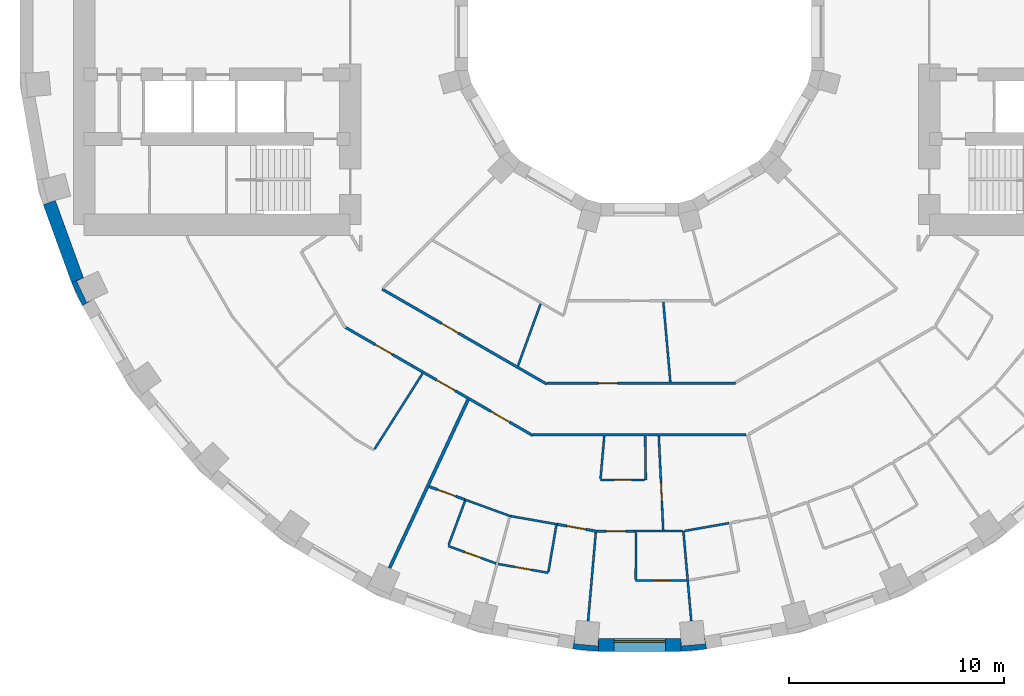
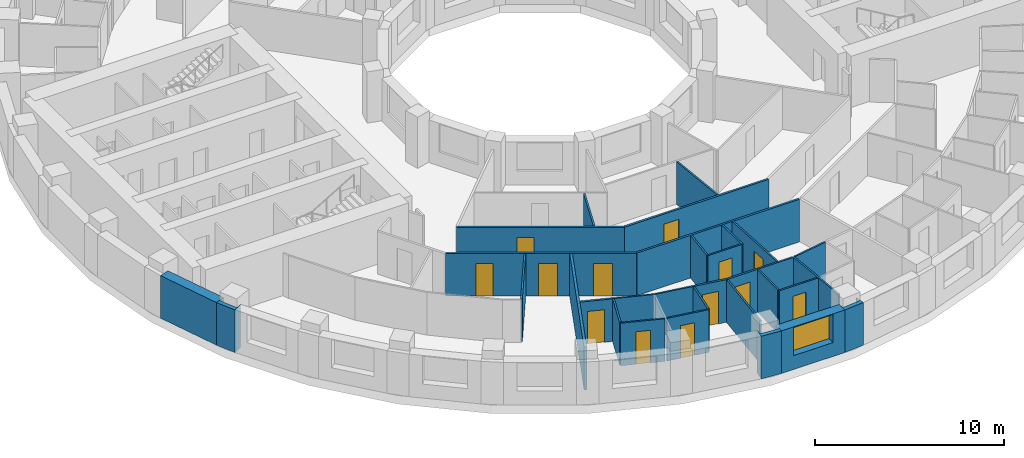
# One storey, part 4 of 15: 32 walls, 13 doors, 1 window, 14 openings.
"""IFC4 building model written with IfcOpenShell, lengths in metres."""

from ifc_helpers import new_model, si_unit, direction, frame, frame_2d, origin, place, context, subcontext, project, spatial, polyline, rectangle, outline, extrude, material, layer, layer_set, type_object, element, fill, save


model = new_model("IFC4")

# Units and contexts
model_context = context("Model", 3, precision=1e-05, world=origin(), true_north=direction((0.0, 1.0)))
body_context = subcontext(model_context, "Body", "Model", "MODEL_VIEW")
ifc_project = project(units=[si_unit("LENGTHUNIT", "METRE"), si_unit("AREAUNIT", "SQUARE_METRE"), si_unit("VOLUMEUNIT", "CUBIC_METRE"), si_unit("PLANEANGLEUNIT", "RADIAN"), si_unit("MASSUNIT", "GRAM", prefix="KILO")], contexts=[model_context])

# Site, building, storey
site_placement = place(None, origin())
site = spatial("IfcSite", under=ifc_project, at=site_placement, CompositionType="ELEMENT")
building_placement = place(site_placement, origin())
building = spatial("IfcBuilding", under=site, at=building_placement, Name="Saqina Gate Tower", CompositionType="ELEMENT")
storey_placement = place(building_placement, frame((0.0, 0.0, 69.199951171875)))
storey = spatial("IfcBuildingStorey", under=building, at=storey_placement, Name="L19", CompositionType="ELEMENT", Elevation=69.199951171875)

# Walls
ifc_material_1 = material(Name="Brick masonry (red)", Category="masonry")
wall_type_1 = type_object("IfcWallType", Name="BRICK PIER COPING RED", PredefinedType="SOLIDWALL", material=ifc_material_1)
wall_1_placement = place(storey_placement, origin())
element("IfcWall", 1, at=wall_1_placement, inside=storey, type_object=wall_type_1, Name="Pier cap L19 column 21", PredefinedType="SOLIDWALL", context=body_context, shape_type="SweptSolid", body=[
    extrude(outline(polyline([(-25.980712890625, -12.779541015625), (-25.4609375, -12.4794921875), (-25.778564453125, -12.627685546875), (-26.243408203125, -11.630615234375), (-25.92578125, -11.482666015625), (-26.48974609375, -11.687744140625), (-25.980712890625, -12.779541015625)])), origin(), (0.0, 0.0, 1.0), 2.75),
])
wall_2_placement = place(storey_placement, origin())
element("IfcWall", 2, at=wall_2_placement, inside=storey, type_object=wall_type_1, Name="Pier cap L19 column 27", PredefinedType="SOLIDWALL", context=body_context, shape_type="SweptSolid", body=[
    extrude(outline(polyline([(-3.122802734375, -28.78466796875), (-1.9228515625, -28.8896484375), (-1.9228515625, -28.28955078125), (-1.95361328125, -28.638671875), (-3.04931640625, -28.54296875), (-3.018798828125, -28.19384765625), (-3.122802734375, -28.78466796875)])), origin(), (0.0, 0.0, 1.0), 2.75),
])
wall_3_placement = place(storey_placement, origin())
element("IfcWall", 3, at=wall_3_placement, inside=storey, type_object=wall_type_1, Name="Pier cap L19 column 28", PredefinedType="SOLIDWALL", context=body_context, shape_type="SweptSolid", body=[
    extrude(outline(polyline([(1.9228515625, -28.8896484375), (3.122802734375, -28.78466796875), (3.018798828125, -28.19384765625), (3.04931640625, -28.54296875), (1.95361328125, -28.638671875), (1.9228515625, -28.28955078125), (1.9228515625, -28.8896484375)])), origin(), (0.0, 0.0, 1.0), 2.75),
])

# Wall, opening, window
ifc_material_2 = material(Name="Brick masonry (red)", Category="masonry")
ifc_layer_1 = layer(ifc_material_2, 0.60009765625)
ifc_layer_set_1 = layer_set([ifc_layer_1], Name="FW-BRICK-RED")
wall_type_2 = type_object("IfcWallType", Name="FW-BRICK-RED", PredefinedType="SOLIDWALL", material=ifc_layer_set_1)
wall_4_placement = place(storey_placement, frame((-1.9228515625, -28.589599609375, 0.0), z_axis=(0.0, 0.0, 1.0), x_axis=(1.0, 0.0, 0.0)))
wall_4 = element("IfcWall", 4, at=wall_4_placement, inside=storey, type_object=wall_type_2, Name="Facade wall L19 facet 27", PredefinedType="SOLIDWALL", context=body_context, shape_type="SweptSolid", body=[
    extrude(rectangle(XDim=3.845703125, YDim=0.60009765625, at=frame_2d((1.9228515625, 0.0))), origin(), (0.0, 0.0, 1.0), 2.75),
])
opening_1_placement = place(wall_4_placement, frame((0.722900390625, 0.0, 0.89990234375)))
opening_1 = element("IfcOpeningElement", 5, at=opening_1_placement, cuts=wall_4, Name="Opening G05-W16", PredefinedType="OPENING", context=body_context, shape_type="SweptSolid", body=[
    extrude(rectangle(XDim=2.39990234375, YDim=1.800048828125, at=frame_2d((1.199951171875, 0.89990234375))), frame((0.0, 0.31201171875, 0.0), z_axis=(0.0, -1.0, 0.0), x_axis=(1.0, 0.0, 0.0)), (0.0, 0.0, 1.0), 0.6240234375),
])
ifc_material_3 = material(Name="Aluminium glazing", Category="aluminium")
window_type = type_object("IfcWindowType", Name="WN-A", PartitioningType="SINGLE_PANEL", PredefinedType="WINDOW", material=ifc_material_3)
window_placement = place(opening_1_placement, origin())
window = element("IfcWindow", 6, at=window_placement, inside=storey, type_object=window_type, Name="Window L19 facet 27", OverallHeight=1.800048828125, OverallWidth=2.39990234375, PartitioningType="SINGLE_PANEL", PredefinedType="WINDOW", context=body_context, shape_type="SweptSolid", body=[
    extrude(rectangle(XDim=2.39990234375, YDim=1.800048828125, at=frame_2d((1.199951171875, 0.89990234375))), frame((0.0, 0.179931640625, 0.0), z_axis=(0.0, -1.0, 0.0), x_axis=(1.0, 0.0, 0.0)), (0.0, 0.0, 1.0), 0.06005859375),
])
fill(opening_1, window)

# Walls
ifc_material_4 = material(Name="Glazed ceramic tile", Category="ceramic")
ifc_layer_2 = layer(ifc_material_4, 0.60009765625)
ifc_layer_set_2 = layer_set([ifc_layer_2], Name="FW-TILE")
wall_type_3 = type_object("IfcWallType", Name="FW-TILE", PredefinedType="SOLIDWALL", material=ifc_layer_set_2)
wall_5_placement = place(storey_placement, frame((-27.523193359375, -7.97119140625, 0.0), z_axis=(0.0, 0.0, 1.0), x_axis=(0.342028474173, -0.939689588564, 0.0)))
element("IfcWall", 7, at=wall_5_placement, inside=storey, type_object=wall_type_3, Name="Facade wall L19 facet 20", PredefinedType="SOLIDWALL", context=body_context, shape_type="SweptSolid", body=[
    extrude(rectangle(XDim=3.845947265625, YDim=0.60009765625, at=frame_2d((1.9228515625, 0.0))), origin(), (0.0, 0.0, 1.0), 2.75),
])
ifc_material_5 = material(Name="Gypsum board on steel studs, 100 mm", Category="steel")
ifc_layer_3 = layer(ifc_material_5, 0.10009765625)
ifc_layer_set_3 = layer_set([ifc_layer_3], Name="PARTITION 100")
wall_type_4 = type_object("IfcWallType", Name="PARTITION 100", PredefinedType="PARTITIONING", material=ifc_layer_set_3)
wall_6_placement = place(storey_placement, frame((0.255859375, -18.862548828125, 0.0), z_axis=(0.0, 0.0, 1.0), x_axis=(0.013779398664, -0.999905059579, 0.0)))
element("IfcWall", 8, at=wall_6_placement, inside=storey, type_object=wall_type_4, Name="PARTITION PW3-01", PredefinedType="PARTITIONING", context=body_context, shape_type="SweptSolid", body=[
    extrude(rectangle(XDim=2.03759765625, YDim=0.10009765625, at=frame_2d((1.018798828125, 0.0))), origin(), (0.0, 0.0, 1.0), 2.75),
])

# Wall, opening, door
wall_7_placement = place(storey_placement, frame((0.890869140625, -18.862548828125, 0.0), z_axis=(0.0, 0.0, 1.0), x_axis=(0.047186643512, -0.998886089939, 0.0)))
wall_7 = element("IfcWall", 9, at=wall_7_placement, inside=storey, type_object=wall_type_4, Name="PARTITION PW3-02", PredefinedType="PARTITIONING", context=body_context, shape_type="SweptSolid", body=[
    extrude(rectangle(XDim=4.38232421875, YDim=0.10009765625, at=frame_2d((2.191162109375, 0.0))), origin(), (0.0, 0.0, 1.0), 2.75),
])
opening_2_placement = place(wall_7_placement, frame((2.135009765625, 0.0, 0.0)))
opening_2 = element("IfcOpeningElement", 10, at=opening_2_placement, cuts=wall_7, Name="Opening G05-D51", PredefinedType="OPENING", context=body_context, shape_type="SweptSolid", body=[
    extrude(rectangle(XDim=0.89990234375, YDim=2.10009765625, at=frame_2d((0.449951171875, 1.050048828125))), frame((0.0, 0.06201171875, 0.0), z_axis=(0.0, -1.0, 0.0), x_axis=(1.0, 0.0, 0.0)), (0.0, 0.0, 1.0), 0.1240234375),
])
ifc_material_6 = material(Name="Timber door leaf, 900 mm", Category="wood")
door_type_1 = type_object("IfcDoorType", Name="DOOR 900 TIMBER", OperationType="SINGLE_SWING_LEFT", PredefinedType="DOOR", material=ifc_material_6)
door_1_placement = place(opening_2_placement, frame((0.89990234375, 0.0, 0.0), z_axis=(0.0, 0.0, 1.0), x_axis=(-1.0, 0.0, 0.0)))
door_1 = element("IfcDoor", 11, at=door_1_placement, inside=storey, type_object=door_type_1, Name="DOOR G05-D51", OperationType="SINGLE_SWING_RIGHT", OverallHeight=2.10009765625, OverallWidth=0.89990234375, PredefinedType="DOOR", context=body_context, shape_type="SweptSolid", body=[
    extrude(rectangle(XDim=0.89990234375, YDim=2.10009765625, at=frame_2d((0.449951171875, 1.050048828125))), frame((0.0, 0.02490234375, 0.0), z_axis=(0.0, -1.0, 0.0), x_axis=(1.0, 0.0, 0.0)), (0.0, 0.0, 1.0), 0.050048828125),
])
fill(opening_2, door_1)

# Walls
wall_8_placement = place(storey_placement, frame((1.102294921875, -12.599853515625, 0.0), z_axis=(0.0, 0.0, 1.0), x_axis=(0.087191165371, -0.996191598379, 0.0)))
element("IfcWall", 12, at=wall_8_placement, inside=storey, type_object=wall_type_4, Name="PARTITION PW3-05", PredefinedType="PARTITIONING", context=body_context, shape_type="SweptSolid", body=[
    extrude(rectangle(XDim=3.752197265625, YDim=0.10009765625, at=frame_2d((1.8759765625, 0.0))), origin(), (0.0, 0.0, 1.0), 2.75),
])
wall_9_placement = place(storey_placement, frame((2.0380859375, -23.2900390625, 0.0), z_axis=(0.0, 0.0, 1.0), x_axis=(0.087200034709, -0.996190822055, 0.0)))
element("IfcWall", 13, at=wall_9_placement, inside=storey, type_object=wall_type_4, Name="PARTITION PW3-06", PredefinedType="PARTITIONING", context=body_context, shape_type="SweptSolid", body=[
    extrude(rectangle(XDim=4.2109375, YDim=0.10009765625, at=frame_2d((2.10546875, 0.0))), origin(), (0.0, 0.0, 1.0), 2.75),
])

# Wall, opening, door
wall_10_placement = place(storey_placement, frame((-8.925048828125, -23.98291015625, 0.0), z_axis=(0.0, 0.0, 1.0), x_axis=(0.939643152994, -0.342156024399, 0.0)))
wall_10 = element("IfcWall", 14, at=wall_10_placement, inside=storey, type_object=wall_type_4, Name="PARTITION PW3-50", PredefinedType="PARTITIONING", context=body_context, shape_type="SweptSolid", body=[
    extrude(rectangle(XDim=2.373291015625, YDim=0.10009765625, at=frame_2d((1.1865234375, 0.0))), origin(), (0.0, 0.0, 1.0), 2.75),
])
opening_3_placement = place(wall_10_placement, frame((0.8115234375, 0.0, 0.0)))
opening_3 = element("IfcOpeningElement", 15, at=opening_3_placement, cuts=wall_10, Name="Opening G05-D43", PredefinedType="OPENING", context=body_context, shape_type="SweptSolid", body=[
    extrude(rectangle(XDim=0.800048828125, YDim=2.10009765625, at=frame_2d((0.39990234375, 1.050048828125))), frame((0.0, 0.06201171875, 0.0), z_axis=(0.0, -1.0, 0.0), x_axis=(1.0, 0.0, 0.0)), (0.0, 0.0, 1.0), 0.1240234375),
])
ifc_material_7 = material(Name="Timber door leaf, 800 mm", Category="wood")
door_type_2 = type_object("IfcDoorType", Name="DOOR 800 TIMBER", OperationType="SINGLE_SWING_LEFT", PredefinedType="DOOR", material=ifc_material_7)
door_2_placement = place(opening_3_placement, frame((0.800048828125, 0.0, 0.0), z_axis=(0.0, 0.0, 1.0), x_axis=(-1.0, 0.0, 0.0)))
door_2 = element("IfcDoor", 16, at=door_2_placement, inside=storey, type_object=door_type_2, Name="DOOR G05-D43", OperationType="SINGLE_SWING_LEFT", OverallHeight=2.10009765625, OverallWidth=0.800048828125, PredefinedType="DOOR", context=body_context, shape_type="SweptSolid", body=[
    extrude(rectangle(XDim=0.800048828125, YDim=2.10009765625, at=frame_2d((0.39990234375, 1.050048828125))), frame((0.0, 0.02490234375, 0.0), z_axis=(0.0, -1.0, 0.0), x_axis=(1.0, 0.0, 0.0)), (0.0, 0.0, 1.0), 0.050048828125),
])
fill(opening_3, door_2)

# Wall
wall_11_placement = place(storey_placement, frame((-8.169921875, -21.810791015625, 0.0), z_axis=(0.0, 0.0, 1.0), x_axis=(0.939700645731, -0.341998094165, 0.0)))
element("IfcWall", 17, at=wall_11_placement, inside=storey, type_object=wall_type_4, Name="PARTITION PW3-51", PredefinedType="PARTITIONING", context=body_context, shape_type="SweptSolid", body=[
    extrude(rectangle(XDim=2.3056640625, YDim=0.10009765625, at=frame_2d((1.15283203125, 0.0))), origin(), (0.0, 0.0, 1.0), 2.75),
])

# Wall, opening, door
wall_12_placement = place(storey_placement, frame((-6.598876953125, -24.82080078125, 0.0), z_axis=(0.0, 0.0, 1.0), x_axis=(0.984804266692, -0.17366794841, 0.0)))
wall_12 = element("IfcWall", 18, at=wall_12_placement, inside=storey, type_object=wall_type_4, Name="PARTITION PW3-54", PredefinedType="PARTITIONING", context=body_context, shape_type="SweptSolid", body=[
    extrude(rectangle(XDim=2.373046875, YDim=0.10009765625, at=frame_2d((1.1865234375, 0.0))), origin(), (0.0, 0.0, 1.0), 2.75),
])
opening_4_placement = place(wall_12_placement, frame((0.761474609375, 0.0, 0.0)))
opening_4 = element("IfcOpeningElement", 19, at=opening_4_placement, cuts=wall_12, Name="Opening G05-D44", PredefinedType="OPENING", context=body_context, shape_type="SweptSolid", body=[
    extrude(rectangle(XDim=0.800048828125, YDim=2.10009765625, at=frame_2d((0.39990234375, 1.050048828125))), frame((0.0, 0.06201171875, 0.0), z_axis=(0.0, -1.0, 0.0), x_axis=(1.0, 0.0, 0.0)), (0.0, 0.0, 1.0), 0.1240234375),
])
door_3_placement = place(opening_4_placement, frame((0.800048828125, 0.0, 0.0), z_axis=(0.0, 0.0, 1.0), x_axis=(-1.0, 0.0, 0.0)))
door_3 = element("IfcDoor", 20, at=door_3_placement, inside=storey, type_object=door_type_2, Name="DOOR G05-D44", OperationType="SINGLE_SWING_RIGHT", OverallHeight=2.10009765625, OverallWidth=0.800048828125, PredefinedType="DOOR", context=body_context, shape_type="SweptSolid", body=[
    extrude(rectangle(XDim=0.800048828125, YDim=2.10009765625, at=frame_2d((0.39990234375, 1.050048828125))), frame((0.0, 0.02490234375, 0.0), z_axis=(0.0, -1.0, 0.0), x_axis=(1.0, 0.0, 0.0)), (0.0, 0.0, 1.0), 0.050048828125),
])
fill(opening_4, door_3)

# Wall
wall_13_placement = place(storey_placement, frame((-6.001708984375, -22.590576171875, 0.0), z_axis=(0.0, 0.0, 1.0), x_axis=(0.984800270927, -0.173690605338, 0.0)))
element("IfcWall", 21, at=wall_13_placement, inside=storey, type_object=wall_type_4, Name="PARTITION PW3-55", PredefinedType="PARTITIONING", context=body_context, shape_type="SweptSolid", body=[
    extrude(rectangle(XDim=2.205322265625, YDim=0.10009765625, at=frame_2d((1.1025390625, 0.0))), origin(), (0.0, 0.0, 1.0), 2.75),
])

# Wall, opening, door
wall_14_placement = place(storey_placement, frame((-0.18408203125, -25.590087890625, 0.0), z_axis=(0.0, 0.0, 1.0), x_axis=(1.0, 0.0, 0.0)))
wall_14 = element("IfcWall", 22, at=wall_14_placement, inside=storey, type_object=wall_type_4, Name="PARTITION PW3-58", PredefinedType="PARTITIONING", context=body_context, shape_type="SweptSolid", body=[
    extrude(rectangle(XDim=2.373046875, YDim=0.10009765625, at=frame_2d((1.1865234375, 0.0))), origin(), (0.0, 0.0, 1.0), 2.75),
])
opening_5_placement = place(wall_14_placement, frame((0.8115234375, 0.0, 0.0)))
opening_5 = element("IfcOpeningElement", 23, at=opening_5_placement, cuts=wall_14, Name="Opening G05-D50", PredefinedType="OPENING", context=body_context, shape_type="SweptSolid", body=[
    extrude(rectangle(XDim=0.800048828125, YDim=2.10009765625, at=frame_2d((0.39990234375, 1.050048828125))), frame((0.0, 0.06201171875, 0.0), z_axis=(0.0, -1.0, 0.0), x_axis=(1.0, 0.0, 0.0)), (0.0, 0.0, 1.0), 0.1240234375),
])
door_4_placement = place(opening_5_placement, frame((0.800048828125, 0.0, 0.0), z_axis=(0.0, 0.0, 1.0), x_axis=(-1.0, 0.0, 0.0)))
door_4 = element("IfcDoor", 24, at=door_4_placement, inside=storey, type_object=door_type_2, Name="DOOR G05-D50", OperationType="SINGLE_SWING_LEFT", OverallHeight=2.10009765625, OverallWidth=0.800048828125, PredefinedType="DOOR", context=body_context, shape_type="SweptSolid", body=[
    extrude(rectangle(XDim=0.800048828125, YDim=2.10009765625, at=frame_2d((0.39990234375, 1.050048828125))), frame((0.0, 0.02490234375, 0.0), z_axis=(0.0, -1.0, 0.0), x_axis=(1.0, 0.0, 0.0)), (0.0, 0.0, 1.0), 0.050048828125),
])
fill(opening_5, door_4)

# Wall
wall_15_placement = place(storey_placement, frame((-0.218017578125, -23.2900390625, 0.0), z_axis=(0.0, 0.0, 1.0), x_axis=(1.0, 0.0, 0.0)))
element("IfcWall", 25, at=wall_15_placement, inside=storey, type_object=wall_type_4, Name="PARTITION PW3-59", PredefinedType="PARTITIONING", context=body_context, shape_type="SweptSolid", body=[
    extrude(rectangle(XDim=2.2060546875, YDim=0.10009765625, at=frame_2d((1.10302734375, 0.0))), origin(), (0.0, 0.0, 1.0), 2.75),
])

# Wall, opening, door
wall_16_placement = place(storey_placement, frame((-1.8291015625, -20.89990234375, 0.0), z_axis=(0.0, 0.0, 1.0), x_axis=(1.0, 0.0, 0.0)))
wall_16 = element("IfcWall", 26, at=wall_16_placement, inside=storey, type_object=wall_type_4, Name="PARTITION PW3-60", PredefinedType="PARTITIONING", context=body_context, shape_type="SweptSolid", body=[
    extrude(rectangle(XDim=2.06298828125, YDim=0.10009765625, at=frame_2d((1.031494140625, 0.0))), origin(), (0.0, 0.0, 1.0), 2.75),
])
opening_6_placement = place(wall_16_placement, frame((0.656494140625, 0.0, 0.0)))
opening_6 = element("IfcOpeningElement", 27, at=opening_6_placement, cuts=wall_16, Name="Opening G05-D48", PredefinedType="OPENING", context=body_context, shape_type="SweptSolid", body=[
    extrude(rectangle(XDim=0.800048828125, YDim=2.10009765625, at=frame_2d((0.39990234375, 1.050048828125))), frame((0.0, 0.06201171875, 0.0), z_axis=(0.0, -1.0, 0.0), x_axis=(1.0, 0.0, 0.0)), (0.0, 0.0, 1.0), 0.1240234375),
])
door_5_placement = place(opening_6_placement, frame((0.800048828125, 0.0, 0.0), z_axis=(0.0, 0.0, 1.0), x_axis=(-1.0, 0.0, 0.0)))
door_5 = element("IfcDoor", 28, at=door_5_placement, inside=storey, type_object=door_type_2, Name="DOOR G05-D48", OperationType="SINGLE_SWING_LEFT", OverallHeight=2.10009765625, OverallWidth=0.800048828125, PredefinedType="DOOR", context=body_context, shape_type="SweptSolid", body=[
    extrude(rectangle(XDim=0.800048828125, YDim=2.10009765625, at=frame_2d((0.39990234375, 1.050048828125))), frame((0.0, 0.02490234375, 0.0), z_axis=(0.0, -1.0, 0.0), x_axis=(1.0, 0.0, 0.0)), (0.0, 0.0, 1.0), 0.050048828125),
])
fill(opening_6, door_5)

# Walls
wall_17_placement = place(storey_placement, frame((2.087158203125, -23.28125, 0.0), z_axis=(0.0, 0.0, 1.0), x_axis=(0.984804573467, 0.173666208797, 0.0)))
element("IfcWall", 29, at=wall_17_placement, inside=storey, type_object=wall_type_4, Name="PARTITION PW3-68", PredefinedType="PARTITIONING", context=body_context, shape_type="SweptSolid", body=[
    extrude(rectangle(XDim=2.1044921875, YDim=0.10009765625, at=frame_2d((1.05224609375, 0.0))), origin(), (0.0, 0.0, 1.0), 2.75),
])
wall_18_placement = place(storey_placement, frame((-12.361083984375, -19.466796875, 0.0), z_axis=(0.0, 0.0, 1.0), x_axis=(0.535975761714, 0.844233369901, 0.0)))
element("IfcWall", 30, at=wall_18_placement, inside=storey, type_object=wall_type_4, Name="PARTITION PW3-95", PredefinedType="PARTITIONING", context=body_context, shape_type="SweptSolid", body=[
    extrude(rectangle(XDim=4.18017578125, YDim=0.10009765625, at=frame_2d((2.090087890625, 0.0))), origin(), (0.0, 0.0, 1.0), 2.75),
])
wall_19_placement = place(storey_placement, frame((-8.907470703125, -23.93603515625, 0.0), z_axis=(0.0, 0.0, 1.0), x_axis=(0.348774527409, 0.937206662925, 0.0)))
element("IfcWall", 31, at=wall_19_placement, inside=storey, type_object=wall_type_4, Name="PARTITION PW3-101", PredefinedType="PARTITIONING", context=body_context, shape_type="SweptSolid", body=[
    extrude(rectangle(XDim=2.199462890625, YDim=0.10009765625, at=frame_2d((1.099609375, 0.0))), origin(), (0.0, 0.0, 1.0), 2.75),
])
wall_20_placement = place(storey_placement, frame((-5.674560546875, -15.58984375, 0.0), z_axis=(0.0, 0.0, 1.0), x_axis=(0.342003486118, 0.939698683347, 0.0)))
element("IfcWall", 32, at=wall_20_placement, inside=storey, type_object=wall_type_4, Name="PARTITION PW3-103", PredefinedType="PARTITIONING", context=body_context, shape_type="SweptSolid", body=[
    extrude(rectangle(XDim=3.0859375, YDim=0.10009765625, at=frame_2d((1.54296875, 0.0))), origin(), (0.0, 0.0, 1.0), 2.75),
])
wall_21_placement = place(storey_placement, frame((-4.253662109375, -25.18359375, 0.0), z_axis=(0.0, 0.0, 1.0), x_axis=(0.166534432253, 0.986035639759, 0.0)))
element("IfcWall", 33, at=wall_21_placement, inside=storey, type_object=wall_type_4, Name="PARTITION PW3-109", PredefinedType="PARTITIONING", context=body_context, shape_type="SweptSolid", body=[
    extrude(rectangle(XDim=2.187255859375, YDim=0.10009765625, at=frame_2d((1.09375, 0.0))), origin(), (0.0, 0.0, 1.0), 2.75),
])
wall_22_placement = place(storey_placement, frame((-2.405029296875, -27.48486328125, 0.0), z_axis=(0.0, 0.0, 1.0), x_axis=(0.086512794622, 0.996250739707, 0.0)))
element("IfcWall", 34, at=wall_22_placement, inside=storey, type_object=wall_type_4, Name="PARTITION PW3-110", PredefinedType="PARTITIONING", context=body_context, shape_type="SweptSolid", body=[
    extrude(rectangle(XDim=4.1484375, YDim=0.10009765625, at=frame_2d((2.07421875, 0.0))), origin(), (0.0, 0.0, 1.0), 2.75),
])
wall_23_placement = place(storey_placement, frame((-1.82470703125, -20.85009765625, 0.0), z_axis=(0.0, 0.0, 1.0), x_axis=(0.087115345234, 0.996198231591, 0.0)))
element("IfcWall", 35, at=wall_23_placement, inside=storey, type_object=wall_type_4, Name="PARTITION PW3-112", PredefinedType="PARTITIONING", context=body_context, shape_type="SweptSolid", body=[
    extrude(rectangle(XDim=1.995361328125, YDim=0.10009765625, at=frame_2d((0.99755859375, 0.0))), origin(), (0.0, 0.0, 1.0), 2.75),
])
wall_24_placement = place(storey_placement, frame((-0.18359375, -25.5400390625, 0.0), z_axis=(0.0, 0.0, 1.0), x_axis=(0.006919477202, 0.999976060131, 0.0)))
element("IfcWall", 36, at=wall_24_placement, inside=storey, type_object=wall_type_4, Name="PARTITION PW3-114", PredefinedType="PARTITIONING", context=body_context, shape_type="SweptSolid", body=[
    extrude(rectangle(XDim=2.1875, YDim=0.10009765625, at=frame_2d((1.09375, 0.0))), origin(), (0.0, 0.0, 1.0), 2.75),
])

# Wall, openings, doors
ifc_material_8 = material(Name="Gypsum board on steel studs, 125 mm, fire rated", Category="steel")
ifc_layer_4 = layer(ifc_material_8, 0.125)
ifc_layer_set_4 = layer_set([ifc_layer_4], Name="PARTITION EI 30 125")
wall_type_5 = type_object("IfcWallType", Name="PARTITION EI 30 125", PredefinedType="PARTITIONING", material=ifc_layer_set_4)
wall_25_placement = place(storey_placement, frame((-13.708984375, -13.794189453125, 0.0), z_axis=(0.0, 0.0, 1.0), x_axis=(0.866059817553, -0.499940388867, 0.0)))
wall_25 = element("IfcWall", 37, at=wall_25_placement, inside=storey, type_object=wall_type_5, Name="PARTITION PW1-09", PredefinedType="PARTITIONING", context=body_context, shape_type="SweptSolid", body=[
    extrude(rectangle(XDim=10.085205078125, YDim=0.125, at=frame_2d((5.04248046875, 0.0))), origin(), (0.0, 0.0, 1.0), 2.75),
])
opening_7_placement = place(wall_25_placement, frame((1.60986328125, 0.0, 0.0)))
opening_7 = element("IfcOpeningElement", 38, at=opening_7_placement, cuts=wall_25, Name="Opening G05-D37", PredefinedType="OPENING", context=body_context, shape_type="SweptSolid", body=[
    extrude(rectangle(XDim=0.89990234375, YDim=2.10009765625, at=frame_2d((0.449951171875, 1.050048828125))), frame((0.0, 0.074462890625, 0.0), z_axis=(0.0, -1.0, 0.0), x_axis=(1.0, 0.0, 0.0)), (0.0, 0.0, 1.0), 0.14892578125),
])
opening_8_placement = place(wall_25_placement, frame((4.90087890625, 0.0, 0.0)))
opening_8 = element("IfcOpeningElement", 39, at=opening_8_placement, cuts=wall_25, Name="Opening G05-D40", PredefinedType="OPENING", context=body_context, shape_type="SweptSolid", body=[
    extrude(rectangle(XDim=1.0, YDim=2.10009765625, at=frame_2d((0.5, 1.050048828125))), frame((0.0, 0.074462890625, 0.0), z_axis=(0.0, -1.0, 0.0), x_axis=(1.0, 0.0, 0.0)), (0.0, 0.0, 1.0), 0.14892578125),
])
opening_9_placement = place(wall_25_placement, frame((7.81640625, 0.0, 0.0)))
opening_9 = element("IfcOpeningElement", 40, at=opening_9_placement, cuts=wall_25, Name="Opening G05-D42", PredefinedType="OPENING", context=body_context, shape_type="SweptSolid", body=[
    extrude(rectangle(XDim=1.0, YDim=2.10009765625, at=frame_2d((0.5, 1.050048828125))), frame((0.0, 0.074462890625, 0.0), z_axis=(0.0, -1.0, 0.0), x_axis=(1.0, 0.0, 0.0)), (0.0, 0.0, 1.0), 0.14892578125),
])
ifc_material_9 = material(Name="Fire door leaf EI 30, 1000 mm")
door_type_3 = type_object("IfcDoorType", Name="DOOR 1000 EI 30", OperationType="SINGLE_SWING_LEFT", PredefinedType="DOOR", material=ifc_material_9)
door_6_placement = place(opening_8_placement, origin())
door_6 = element("IfcDoor", 41, at=door_6_placement, inside=storey, type_object=door_type_3, Name="DOOR G05-D40", OperationType="SINGLE_SWING_RIGHT", OverallHeight=2.10009765625, OverallWidth=1.0, PredefinedType="DOOR", context=body_context, shape_type="SweptSolid", body=[
    extrude(rectangle(XDim=1.0, YDim=2.10009765625, at=frame_2d((0.5, 1.050048828125))), frame((0.0, 0.02490234375, 0.0), z_axis=(0.0, -1.0, 0.0), x_axis=(1.0, 0.0, 0.0)), (0.0, 0.0, 1.0), 0.050048828125),
])
fill(opening_8, door_6)
door_7_placement = place(opening_9_placement, frame((1.0, 0.0, 0.0), z_axis=(0.0, 0.0, 1.0), x_axis=(-1.0, 0.0, 0.0)))
door_7 = element("IfcDoor", 42, at=door_7_placement, inside=storey, type_object=door_type_3, Name="DOOR G05-D42", OperationType="SINGLE_SWING_LEFT", OverallHeight=2.10009765625, OverallWidth=1.0, PredefinedType="DOOR", context=body_context, shape_type="SweptSolid", body=[
    extrude(rectangle(XDim=1.0, YDim=2.10009765625, at=frame_2d((0.5, 1.050048828125))), frame((0.0, 0.02490234375, 0.0), z_axis=(0.0, -1.0, 0.0), x_axis=(1.0, 0.0, 0.0)), (0.0, 0.0, 1.0), 0.050048828125),
])
fill(opening_9, door_7)
ifc_material_10 = material(Name="Fire door leaf EI 30, 900 mm")
door_type_4 = type_object("IfcDoorType", Name="DOOR 900 EI 30", OperationType="SINGLE_SWING_LEFT", PredefinedType="DOOR", material=ifc_material_10)
door_8_placement = place(opening_7_placement, frame((0.89990234375, 0.0, 0.0), z_axis=(0.0, 0.0, 1.0), x_axis=(-1.0, 0.0, 0.0)))
door_8 = element("IfcDoor", 43, at=door_8_placement, inside=storey, type_object=door_type_4, Name="DOOR G05-D37", OperationType="SINGLE_SWING_RIGHT", OverallHeight=2.10009765625, OverallWidth=0.89990234375, PredefinedType="DOOR", context=body_context, shape_type="SweptSolid", body=[
    extrude(rectangle(XDim=0.89990234375, YDim=2.10009765625, at=frame_2d((0.449951171875, 1.050048828125))), frame((0.0, 0.02490234375, 0.0), z_axis=(0.0, -1.0, 0.0), x_axis=(1.0, 0.0, 0.0)), (0.0, 0.0, 1.0), 0.050048828125),
])
fill(opening_7, door_8)

# Wall, opening, door
wall_26_placement = place(storey_placement, frame((-12.006103515625, -12.006103515625, 0.0), z_axis=(0.0, 0.0, 1.0), x_axis=(0.866073188118, -0.499917225971, 0.0)))
wall_26 = element("IfcWall", 44, at=wall_26_placement, inside=storey, type_object=wall_type_5, Name="PARTITION PW1-10", PredefinedType="PARTITIONING", context=body_context, shape_type="SweptSolid", body=[
    extrude(rectangle(XDim=8.861328125, YDim=0.125, at=frame_2d((4.4306640625, 0.0))), origin(), (0.0, 0.0, 1.0), 2.75),
])
opening_10_placement = place(wall_26_placement, frame((3.193115234375, 0.0, 0.0)))
opening_10 = element("IfcOpeningElement", 45, at=opening_10_placement, cuts=wall_26, Name="Opening G05-D38", PredefinedType="OPENING", context=body_context, shape_type="SweptSolid", body=[
    extrude(rectangle(XDim=0.89990234375, YDim=2.10009765625, at=frame_2d((0.449951171875, 1.050048828125))), frame((0.0, 0.074462890625, 0.0), z_axis=(0.0, -1.0, 0.0), x_axis=(1.0, 0.0, 0.0)), (0.0, 0.0, 1.0), 0.14892578125),
])
door_9_placement = place(opening_10_placement, origin())
door_9 = element("IfcDoor", 46, at=door_9_placement, inside=storey, type_object=door_type_4, Name="DOOR G05-D38", OperationType="SINGLE_SWING_LEFT", OverallHeight=2.10009765625, OverallWidth=0.89990234375, PredefinedType="DOOR", context=body_context, shape_type="SweptSolid", body=[
    extrude(rectangle(XDim=0.89990234375, YDim=2.10009765625, at=frame_2d((0.449951171875, 1.050048828125))), frame((0.0, 0.02490234375, 0.0), z_axis=(0.0, -1.0, 0.0), x_axis=(1.0, 0.0, 0.0)), (0.0, 0.0, 1.0), 0.050048828125),
])
fill(opening_10, door_9)

wall_27_placement = place(storey_placement, frame((-9.809326171875, -21.2138671875, 0.0), z_axis=(0.0, 0.0, 1.0), x_axis=(0.939605351125, -0.342259819635, 0.0)))
wall_27 = element("IfcWall", 47, at=wall_27_placement, inside=storey, type_object=wall_type_5, Name="PARTITION PW1-16", PredefinedType="PARTITIONING", context=body_context, shape_type="SweptSolid", body=[
    extrude(rectangle(XDim=1.744873046875, YDim=0.125, at=frame_2d((0.87255859375, 0.0))), origin(), (0.0, 0.0, 1.0), 2.75),
])
opening_11_placement = place(wall_27_placement, frame((0.409912109375, 0.0, 0.0)))
opening_11 = element("IfcOpeningElement", 48, at=opening_11_placement, cuts=wall_27, Name="Opening G05-D41", PredefinedType="OPENING", context=body_context, shape_type="SweptSolid", body=[
    extrude(rectangle(XDim=0.89990234375, YDim=2.10009765625, at=frame_2d((0.449951171875, 1.050048828125))), frame((0.0, 0.074462890625, 0.0), z_axis=(0.0, -1.0, 0.0), x_axis=(1.0, 0.0, 0.0)), (0.0, 0.0, 1.0), 0.14892578125),
])
door_10_placement = place(opening_11_placement, origin())
door_10 = element("IfcDoor", 49, at=door_10_placement, inside=storey, type_object=door_type_4, Name="DOOR G05-D41", OperationType="SINGLE_SWING_LEFT", OverallHeight=2.10009765625, OverallWidth=0.89990234375, PredefinedType="DOOR", context=body_context, shape_type="SweptSolid", body=[
    extrude(rectangle(XDim=0.89990234375, YDim=2.10009765625, at=frame_2d((0.449951171875, 1.050048828125))), frame((0.0, 0.02490234375, 0.0), z_axis=(0.0, -1.0, 0.0), x_axis=(1.0, 0.0, 0.0)), (0.0, 0.0, 1.0), 0.050048828125),
])
fill(opening_11, door_10)

wall_28_placement = place(storey_placement, frame((-3.829833984375, -22.9736328125, 0.0), z_axis=(0.0, 0.0, 1.0), x_axis=(0.984767891191, -0.173874093757, 0.0)))
wall_28 = element("IfcWall", 50, at=wall_28_placement, inside=storey, type_object=wall_type_5, Name="PARTITION PW1-18", PredefinedType="PARTITIONING", context=body_context, shape_type="SweptSolid", body=[
    extrude(rectangle(XDim=1.8828125, YDim=0.125, at=frame_2d((0.94140625, 0.0))), origin(), (0.0, 0.0, 1.0), 2.75),
])
opening_12_placement = place(wall_28_placement, frame((0.434814453125, 0.0, 0.0)))
opening_12 = element("IfcOpeningElement", 51, at=opening_12_placement, cuts=wall_28, Name="Opening G05-D45", PredefinedType="OPENING", context=body_context, shape_type="SweptSolid", body=[
    extrude(rectangle(XDim=0.89990234375, YDim=2.10009765625, at=frame_2d((0.449951171875, 1.050048828125))), frame((0.0, 0.074462890625, 0.0), z_axis=(0.0, -1.0, 0.0), x_axis=(1.0, 0.0, 0.0)), (0.0, 0.0, 1.0), 0.14892578125),
])
door_11_placement = place(opening_12_placement, origin())
door_11 = element("IfcDoor", 52, at=door_11_placement, inside=storey, type_object=door_type_4, Name="DOOR G05-D45", OperationType="SINGLE_SWING_RIGHT", OverallHeight=2.10009765625, OverallWidth=0.89990234375, PredefinedType="DOOR", context=body_context, shape_type="SweptSolid", body=[
    extrude(rectangle(XDim=0.89990234375, YDim=2.10009765625, at=frame_2d((0.449951171875, 1.050048828125))), frame((0.0, 0.02490234375, 0.0), z_axis=(0.0, -1.0, 0.0), x_axis=(1.0, 0.0, 0.0)), (0.0, 0.0, 1.0), 0.050048828125),
])
fill(opening_12, door_11)

wall_29_placement = place(storey_placement, frame((-1.9755859375, -23.2900390625, 0.0), z_axis=(0.0, 0.0, 1.0), x_axis=(1.0, 0.0, 0.0)))
wall_29 = element("IfcWall", 53, at=wall_29_placement, inside=storey, type_object=wall_type_5, Name="PARTITION PW1-20", PredefinedType="PARTITIONING", context=body_context, shape_type="SweptSolid", body=[
    extrude(rectangle(XDim=1.757568359375, YDim=0.125, at=frame_2d((0.87890625, 0.0))), origin(), (0.0, 0.0, 1.0), 2.75),
])
opening_13_placement = place(wall_29_placement, frame((0.422607421875, 0.0, 0.0)))
opening_13 = element("IfcOpeningElement", 54, at=opening_13_placement, cuts=wall_29, Name="Opening G05-D47", PredefinedType="OPENING", context=body_context, shape_type="SweptSolid", body=[
    extrude(rectangle(XDim=0.89990234375, YDim=2.10009765625, at=frame_2d((0.449951171875, 1.050048828125))), frame((0.0, 0.074462890625, 0.0), z_axis=(0.0, -1.0, 0.0), x_axis=(1.0, 0.0, 0.0)), (0.0, 0.0, 1.0), 0.14892578125),
])
door_12_placement = place(opening_13_placement, origin())
door_12 = element("IfcDoor", 55, at=door_12_placement, inside=storey, type_object=door_type_4, Name="DOOR G05-D47", OperationType="SINGLE_SWING_LEFT", OverallHeight=2.10009765625, OverallWidth=0.89990234375, PredefinedType="DOOR", context=body_context, shape_type="SweptSolid", body=[
    extrude(rectangle(XDim=0.89990234375, YDim=2.10009765625, at=frame_2d((0.449951171875, 1.050048828125))), frame((0.0, 0.02490234375, 0.0), z_axis=(0.0, -1.0, 0.0), x_axis=(1.0, 0.0, 0.0)), (0.0, 0.0, 1.0), 0.050048828125),
])
fill(opening_13, door_12)

# Wall
wall_30_placement = place(storey_placement, frame((-4.974609375, -18.800048828125, 0.0), z_axis=(0.0, 0.0, 1.0), x_axis=(1.0, 0.0, 0.0)))
element("IfcWall", 56, at=wall_30_placement, inside=storey, type_object=wall_type_5, Name="PARTITION PW1-21", PredefinedType="PARTITIONING", context=body_context, shape_type="SweptSolid", body=[
    extrude(rectangle(XDim=9.9365234375, YDim=0.125, at=frame_2d((4.96826171875, 0.0))), origin(), (0.0, 0.0, 1.0), 2.75),
])

# Wall, opening, door
wall_31_placement = place(storey_placement, frame((-4.33154296875, -16.39990234375, 0.0), z_axis=(0.0, 0.0, 1.0), x_axis=(1.0, 0.0, 0.0)))
wall_31 = element("IfcWall", 57, at=wall_31_placement, inside=storey, type_object=wall_type_5, Name="PARTITION PW1-22", PredefinedType="PARTITIONING", context=body_context, shape_type="SweptSolid", body=[
    extrude(rectangle(XDim=8.797607421875, YDim=0.125, at=frame_2d((4.39892578125, 0.0))), origin(), (0.0, 0.0, 1.0), 2.75),
])
opening_14_placement = place(wall_31_placement, frame((2.402099609375, 0.0, 0.0)))
opening_14 = element("IfcOpeningElement", 58, at=opening_14_placement, cuts=wall_31, Name="Opening G05-D46", PredefinedType="OPENING", context=body_context, shape_type="SweptSolid", body=[
    extrude(rectangle(XDim=0.89990234375, YDim=2.10009765625, at=frame_2d((0.449951171875, 1.050048828125))), frame((0.0, 0.074462890625, 0.0), z_axis=(0.0, -1.0, 0.0), x_axis=(1.0, 0.0, 0.0)), (0.0, 0.0, 1.0), 0.14892578125),
])
door_13_placement = place(opening_14_placement, origin())
door_13 = element("IfcDoor", 59, at=door_13_placement, inside=storey, type_object=door_type_4, Name="DOOR G05-D46", OperationType="SINGLE_SWING_LEFT", OverallHeight=2.10009765625, OverallWidth=0.89990234375, PredefinedType="DOOR", context=body_context, shape_type="SweptSolid", body=[
    extrude(rectangle(XDim=0.89990234375, YDim=2.10009765625, at=frame_2d((0.449951171875, 1.050048828125))), frame((0.0, 0.02490234375, 0.0), z_axis=(0.0, -1.0, 0.0), x_axis=(1.0, 0.0, 0.0)), (0.0, 0.0, 1.0), 0.050048828125),
])
fill(opening_14, door_13)

# Wall
ifc_material_11 = material(Name="Gypsum board on steel studs, 150 mm, fire rated", Category="steel")
ifc_layer_5 = layer(ifc_material_11, 0.14990234375)
ifc_layer_set_5 = layer_set([ifc_layer_5], Name="PARTITION EI 60 150")
wall_type_6 = type_object("IfcWallType", Name="PARTITION EI 60 150", PredefinedType="PARTITIONING", material=ifc_layer_set_5)
wall_32_placement = place(storey_placement, frame((-11.65869140625, -25.005615234375, 0.0), z_axis=(0.0, 0.0, 1.0), x_axis=(0.422344925588, 0.906435195604, 0.0)))
element("IfcWall", 60, at=wall_32_placement, inside=storey, type_object=wall_type_6, Name="PARTITION PW2-03", PredefinedType="PARTITIONING", context=body_context, shape_type="SweptSolid", body=[
    extrude(rectangle(XDim=8.6552734375, YDim=0.14990234375, at=frame_2d((4.32763671875, 0.0))), origin(), (0.0, 0.0, 1.0), 2.75),
])

save(model, "model.ifc")
